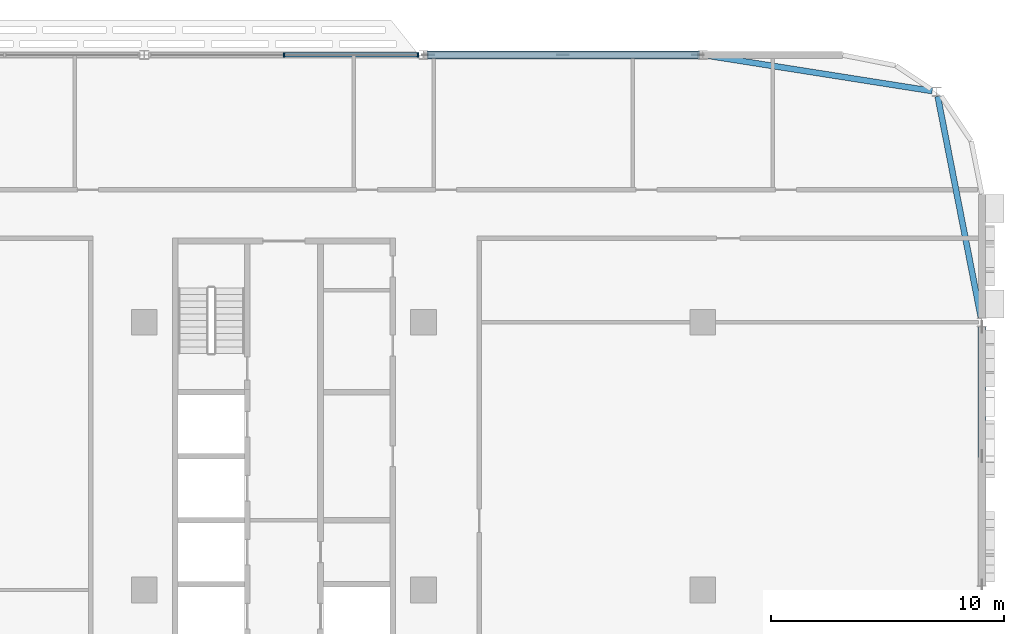
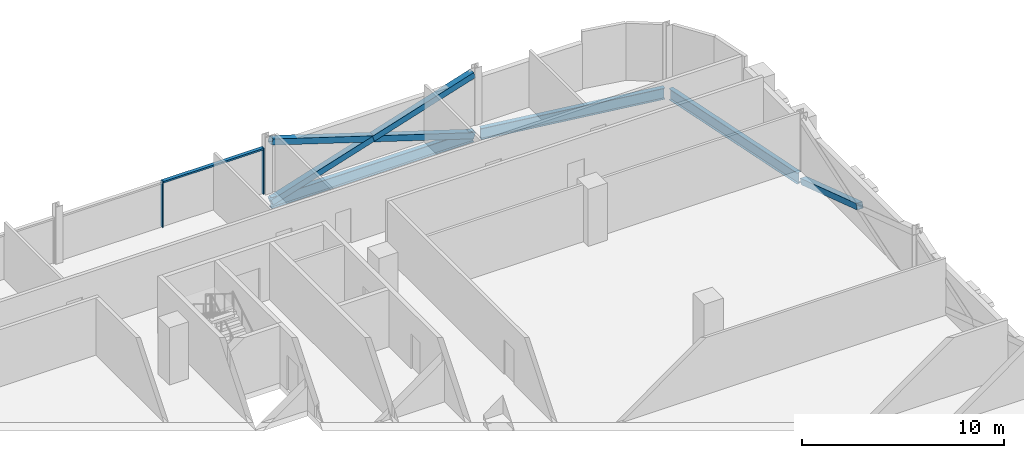
# One storey, part 11 of 29: 7 members, 3 beams, 1 element without a shape of its own.
"""IFC4 building model written with IfcOpenShell, lengths in metres."""

from ifc_helpers import new_model, si_unit, direction, frame, origin, origin_2d, place, context, subcontext, project, spatial, rectangle, hollow_rectangle, i_section, extrude, material, material_profile, profile_set, type_object, element, aggregate, save


model = new_model("IFC4")

# Units and contexts
model_context = context("Model", 3, precision=1e-05, world=origin(), true_north=direction((0.0, 1.0)))
body_context = subcontext(model_context, "Body", "Model", "MODEL_VIEW")
ifc_project = project(units=[si_unit("LENGTHUNIT", "METRE"), si_unit("AREAUNIT", "SQUARE_METRE"), si_unit("VOLUMEUNIT", "CUBIC_METRE"), si_unit("PLANEANGLEUNIT", "RADIAN"), si_unit("MASSUNIT", "GRAM", prefix="KILO")], contexts=[model_context])

# Site, building, storey
site_placement = place(None, origin())
site = spatial("IfcSite", under=ifc_project, at=site_placement, CompositionType="ELEMENT")
building_placement = place(site_placement, origin())
building = spatial("IfcBuilding", under=site, at=building_placement, Name="Mahtab Terrace Research Tower", CompositionType="ELEMENT")
storey_placement = place(building_placement, frame((0.0, 0.0, 197.699951171875)))
storey = spatial("IfcBuildingStorey", under=building, at=storey_placement, Name="L47", CompositionType="ELEMENT", Elevation=197.699951171875)

# Members
ifc_material_1 = material(Name="Steel ASTM A500 Gr C", Category="steel")
ifc_material_profile_1 = material_profile(ifc_material_1, hollow_rectangle(XDim=0.355712890625, YDim=0.355712890625, WallThickness=0.015869140625, at=origin_2d()), Name="HSS14X14X5/8")
ifc_profile_set_1 = profile_set([ifc_material_profile_1], Name="Steel ASTM A500 Gr C")
member_type_1 = type_object("IfcMemberType", Name="HSS 14x14x5/8 brace XB141458", PredefinedType="BRACE", material=ifc_profile_set_1)
member_1_placement = place(storey_placement, frame((41.79931640625, 23.0, -0.615478515625), z_axis=(-0.953343380425, 0.0, 0.301888057067), x_axis=(0.0, -1.0, 0.0)))
element("IfcMember", 1, at=member_1_placement, inside=storey, type_object=member_type_1, Name="Exoskeleton brace L47 02 a", PredefinedType="BRACE", context=body_context, shape_type="SweptSolid", body=[
    extrude(hollow_rectangle(XDim=0.355712890625, YDim=0.355712890625, WallThickness=0.015869140625, at=origin_2d()), origin(), (0.0, 0.0, 1.0), 12.166259765625),
])
for number, where, z_axis, x_axis, name in (
    (2, (30.20068359375, 23.0, -0.615478515625), (0.953343380425, 0.0, 0.301888057067), (0.0, 1.0, 0.0), "Exoskeleton brace L47 02 b1"),
    (3, (36.0, 23.0, 1.220947265625), (0.953343380425, 0.0, 0.301888057067), (0.0, 1.0, 0.0), "Exoskeleton brace L47 02 b2"),
):
    element("IfcMember", number, at=place(storey_placement, frame(where, z_axis=z_axis, x_axis=x_axis)), inside=storey, type_object=member_type_1, Name=name, PredefinedType="BRACE", context=body_context, shape_type="SweptSolid", body=[
        extrude(hollow_rectangle(XDim=0.355712890625, YDim=0.355712890625, WallThickness=0.015869140625, at=origin_2d()), origin(), (0.0, 0.0, 1.0), 6.083251953125),
    ])
member_2_placement = place(storey_placement, frame((54.0, 11.300537109375, -0.61328125), z_axis=(0.0, -0.949498689047, 0.313770998496), x_axis=(1.0, 0.0, 0.0)))
element("IfcMember", 4, at=member_2_placement, inside=storey, type_object=member_type_1, Name="Exoskeleton brace L47 23 b1", PredefinedType="BRACE", context=body_context, shape_type="SweptSolid", body=[
    extrude(hollow_rectangle(XDim=0.355712890625, YDim=0.355712890625, WallThickness=0.015869140625, at=origin_2d()), origin(), (0.0, 0.0, 1.0), 5.845703125),
])

# Curtain wall, members
ifc_material_2 = material(Name="Laboratory ribbon curtain wall")
curtain_wall_type = type_object("IfcCurtainWallType", Name="Laboratory ribbon curtain wall", PredefinedType="NOTDEFINED", material=ifc_material_2)
curtain_wall_placement = place(storey_placement, origin())
curtain_wall = element("IfcCurtainWall", 5, at=curtain_wall_placement, inside=storey, type_object=curtain_wall_type, Name="EN.L47.3.5", PredefinedType="NOTDEFINED")
ifc_material_3 = material(Name="Natural anodised aluminium", Category="aluminium")
ifc_material_profile_2 = material_profile(ifc_material_3, rectangle(XDim=0.199951171875, YDim=0.06494140625, at=origin_2d()), Name="MULLION 65x200")
ifc_profile_set_2 = profile_set([ifc_material_profile_2], Name="Natural anodised aluminium")
member_type_2 = type_object("IfcMemberType", Name="Laboratory ribbon curtain wall mullion", PredefinedType="MULLION", material=ifc_profile_set_2)
member_3_placement = place(storey_placement, frame((29.767578125, 23.0, 0.0), z_axis=(0.0, 0.0, 1.0), x_axis=(0.0, -1.0, 0.0)))
member_3 = element("IfcMember", 6, at=member_3_placement, type_object=member_type_2, Name="CWL-6 mullion 1", PredefinedType="MULLION", context=body_context, shape_type="SweptSolid", body=[
    extrude(rectangle(XDim=0.199951171875, YDim=0.06494140625, at=origin_2d()), origin(), (0.0, 0.0, 1.0), 2.78173828125),
])
member_4_placement = place(storey_placement, frame((24.0, 23.0, 0.0), z_axis=(0.0, 0.0, 1.0), x_axis=(0.0, -1.0, 0.0)))
member_4 = element("IfcMember", 7, at=member_4_placement, type_object=member_type_2, Name="CWL-6 mullion 2", PredefinedType="MULLION", context=body_context, shape_type="SweptSolid", body=[
    extrude(rectangle(XDim=0.199951171875, YDim=0.06494140625, at=origin_2d()), origin(), (0.0, 0.0, 1.0), 2.78173828125),
])
ifc_material_profile_3 = material_profile(ifc_material_3, rectangle(XDim=0.199951171875, YDim=0.10009765625, at=origin_2d()), Name="TRANSOM 100x200")
ifc_profile_set_3 = profile_set([ifc_material_profile_3], Name="Natural anodised aluminium")
member_type_3 = type_object("IfcMemberType", Name="Laboratory ribbon curtain wall transom", PredefinedType="USERDEFINED", material=ifc_profile_set_3)
member_5_placement = place(storey_placement, frame((29.735107421875, 23.0, 2.73193359375), z_axis=(-1.0, 0.0, 0.0), x_axis=(0.0, -1.0, 0.0)))
member_5 = element("IfcMember", 8, at=member_5_placement, type_object=member_type_3, Name="CWL-6 transom 1", ObjectType="TRANSOM", PredefinedType="USERDEFINED", context=body_context, shape_type="SweptSolid", body=[
    extrude(rectangle(XDim=0.199951171875, YDim=0.10009765625, at=origin_2d()), origin(), (0.0, 0.0, 1.0), 5.70263671875),
])
aggregate(curtain_wall, [member_3, member_4, member_5])

# Beams
ifc_material_4 = material(Name="Steel ASTM A992 Gr 50", Category="steel")
ifc_material_profile_4 = material_profile(ifc_material_4, i_section(OverallWidth=0.25390625, OverallDepth=0.67822265625, WebThickness=0.01171875, FlangeThickness=0.016357421875, at=origin_2d()), Name="W27X84")
ifc_profile_set_4 = profile_set([ifc_material_profile_4], Name="Steel ASTM A992 Gr 50")
beam_type = type_object("IfcBeamType", Name="W27x84 beam BS2784", PredefinedType="BEAM", material=ifc_profile_set_4)
beam_1_placement = place(storey_placement, frame((51.861328125, 21.447509765625, -0.678955078125), z_axis=(-0.987831689273, 0.155526697604, 0.0), x_axis=(-0.155526697604, -0.987831689273, 0.0)))
element("IfcBeam", 9, at=beam_1_placement, inside=storey, type_object=beam_type, Name="Spandrel beam L47 01", PredefinedType="BEAM", context=body_context, shape_type="SweptSolid", body=[
    extrude(i_section(OverallWidth=0.25390625, OverallDepth=0.67822265625, WebThickness=0.01171875, FlangeThickness=0.016357421875, at=origin_2d()), origin(), (0.0, 0.0, 1.0), 9.779541015625),
])
beam_2_placement = place(storey_placement, frame((41.79931640625, 23.0, -0.678955078125), z_axis=(-1.0, 0.0, 0.0), x_axis=(0.0, -1.0, 0.0)))
element("IfcBeam", 10, at=beam_2_placement, inside=storey, type_object=beam_type, Name="Spandrel beam L47 02", PredefinedType="BEAM", context=body_context, shape_type="SweptSolid", body=[
    extrude(i_section(OverallWidth=0.25390625, OverallDepth=0.67822265625, WebThickness=0.01171875, FlangeThickness=0.016357421875, at=origin_2d()), origin(), (0.0, 0.0, 1.0), 11.5986328125),
])
beam_3_placement = place(storey_placement, frame((53.9609375, 11.699462890625, -0.678955078125), z_axis=(-0.191795474732, 0.981434916779, 0.0), x_axis=(-0.981434916779, -0.191795474732, 0.0)))
element("IfcBeam", 11, at=beam_3_placement, inside=storey, type_object=beam_type, Name="Spandrel beam L47 24", PredefinedType="BEAM", context=body_context, shape_type="SweptSolid", body=[
    extrude(i_section(OverallWidth=0.25390625, OverallDepth=0.67822265625, WebThickness=0.01171875, FlangeThickness=0.016357421875, at=origin_2d()), origin(), (0.0, 0.0, 1.0), 9.697021484375),
])

save(model, "model.ifc")
